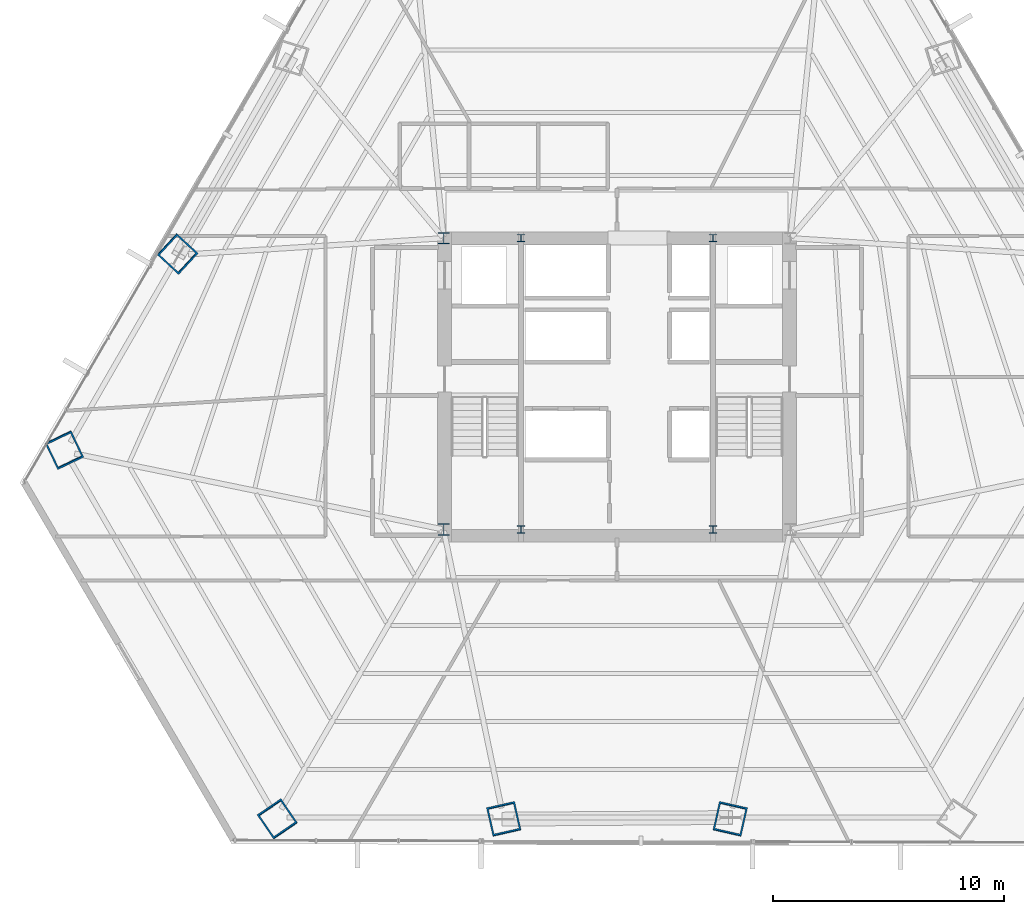
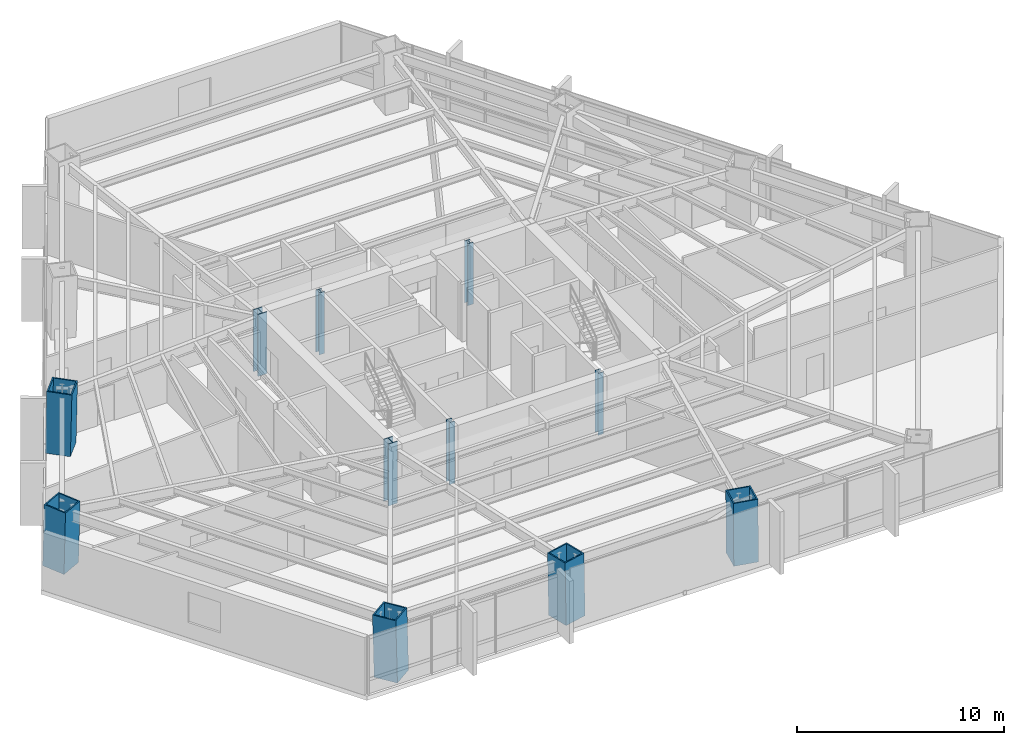
# One storey, part 1 of 29: 11 columns.
"""IFC4 building model written with IfcOpenShell, lengths in metres."""

from ifc_helpers import new_model, si_unit, direction, frame, origin, origin_2d, place, context, subcontext, project, spatial, hollow_rectangle, i_section, extrude, source, transform, mapped, material, material_profile, profile_set, type_object, type_shapes, element, save


model = new_model("IFC4")

# Units and contexts
model_context = context("Model", 3, precision=1e-05, world=origin(), true_north=direction((0.0, 1.0)))
body_context = subcontext(model_context, "Body", "Model", "MODEL_VIEW")
ifc_project = project(units=[si_unit("LENGTHUNIT", "METRE"), si_unit("AREAUNIT", "SQUARE_METRE"), si_unit("VOLUMEUNIT", "CUBIC_METRE"), si_unit("PLANEANGLEUNIT", "RADIAN"), si_unit("MASSUNIT", "GRAM", prefix="KILO")], contexts=[model_context])

# Site, building, storey
site_placement = place(None, origin())
site = spatial("IfcSite", under=ifc_project, at=site_placement, CompositionType="ELEMENT")
building_placement = place(site_placement, origin())
building = spatial("IfcBuilding", under=site, at=building_placement, Name="Caelisora Broadcast Tower", CompositionType="ELEMENT")
storey_placement = place(building_placement, frame((0.0, 0.0, 31.25)))
storey = spatial("IfcBuildingStorey", under=building, at=storey_placement, Name="L07", CompositionType="ELEMENT", Elevation=31.25)

# Columns
ifc_material_1 = material(Name="Steel Grade 350 (AS/NZS 3679.2)", Category="steel")
ifc_material_profile_1 = material_profile(ifc_material_1, i_section(OverallWidth=0.5, OverallDepth=0.5, WebThickness=0.028076171875, FlangeThickness=0.0400390625, at=origin_2d()), Name="Steel Grade 350 (AS/NZS 3679.2)")
ifc_profile_set_1 = profile_set([ifc_material_profile_1], Name="Steel Grade 350 (AS/NZS 3679.2)")
column_type_1 = type_object("IfcColumnType", Name="CC01", PredefinedType="COLUMN", material=ifc_profile_set_1)
shared_shape_1 = source(origin(), body_context, "Body", "SweptSolid", [
    extrude(i_section(OverallWidth=0.5, OverallDepth=0.5, WebThickness=0.028076171875, FlangeThickness=0.0400390625, at=origin_2d()), origin(), (0.0, 0.0, 1.0), 3.64990234375),
])
type_shapes(column_type_1, [shared_shape_1])
for number, where, z_axis, x_axis, name in (
    (1, (30.5, 17.39990234375, 0.0), (0.0, 0.0, 1.0), (1.0, 0.0, 0.0), "L07 column CC01"),
    (2, (30.5, 30.0, 0.0), (0.0, 0.0, 1.0), (1.0, 0.0, 0.0), "L07 column CC01"),
):
    element("IfcColumn", number, at=place(storey_placement, frame(where, z_axis=z_axis, x_axis=x_axis)), inside=storey, type_object=column_type_1, Name=name, PredefinedType="COLUMN", context=body_context, shape_type="MappedRepresentation", body=[
        mapped(shared_shape_1, transform((0.0, 0.0, 0.0), scale=1.0)),
    ])
ifc_material_2 = material(Name="Steel Grade 350 (AS/NZS 3679.1)", Category="steel")
ifc_material_profile_2 = material_profile(ifc_material_2, i_section(OverallWidth=0.306884765625, OverallDepth=0.314697265625, WebThickness=0.011962890625, FlangeThickness=0.018798828125, at=origin_2d()), Name="Steel Grade 350 (AS/NZS 3679.1)")
ifc_profile_set_2 = profile_set([ifc_material_profile_2], Name="Steel Grade 350 (AS/NZS 3679.1)")
column_type_2 = type_object("IfcColumnType", Name="CC04", PredefinedType="COLUMN", material=ifc_profile_set_2)
shared_shape_2 = source(origin(), body_context, "Body", "SweptSolid", [
    extrude(i_section(OverallWidth=0.306884765625, OverallDepth=0.314697265625, WebThickness=0.011962890625, FlangeThickness=0.018798828125, at=origin_2d()), origin(), (0.0, 0.0, 1.0), 3.64990234375),
])
type_shapes(column_type_2, [shared_shape_2])
for number, where, z_axis, x_axis, name in (
    (3, (33.85009765625, 17.39990234375, 0.0), (0.0, 0.0, 1.0), (1.0, 0.0, 0.0), "L07 column CC04"),
    (4, (42.14990234375, 17.39990234375, 0.0), (0.0, 0.0, 1.0), (1.0, 0.0, 0.0), "L07 column CC04"),
    (5, (33.85009765625, 30.0, 0.0), (0.0, 0.0, 1.0), (1.0, 0.0, 0.0), "L07 column CC04"),
    (6, (42.14990234375, 30.0, 0.0), (0.0, 0.0, 1.0), (1.0, 0.0, 0.0), "L07 column CC04"),
):
    element("IfcColumn", number, at=place(storey_placement, frame(where, z_axis=z_axis, x_axis=x_axis)), inside=storey, type_object=column_type_2, Name=name, PredefinedType="COLUMN", context=body_context, shape_type="MappedRepresentation", body=[
        mapped(shared_shape_2, transform((0.0, 0.0, 0.0), scale=1.0)),
    ])
ifc_material_3 = material(Name="Steel Grade 350 L15 (AS/NZS 3678)", Category="steel")
ifc_material_profile_3 = material_profile(ifc_material_3, hollow_rectangle(XDim=1.25, YDim=1.25, WallThickness=0.070068359375, at=origin_2d()), Name="Steel Grade 350 L15 (AS/NZS 3678)")
ifc_profile_set_3 = profile_set([ifc_material_profile_3], Name="Steel Grade 350 L15 (AS/NZS 3678)")
column_type_3 = type_object("IfcColumnType", Name="MC02", PredefinedType="COLUMN", material=ifc_profile_set_3)
shared_shape_3 = source(origin(), body_context, "Body", "SweptSolid", [
    extrude(hollow_rectangle(XDim=1.25, YDim=1.25, WallThickness=0.070068359375, at=origin_2d()), origin(), (0.0, 0.0, 1.0), 3.65087890625),
])
for number, where, z_axis, x_axis, name in (
    (7, (14.09423828125, 20.849365234375, 0.0), (0.010364917199, -0.021599150033, 0.999712981415), (0.901566609123, 0.432640323264, 0.0), "L07 column MC02"),
    (8, (23.318603515625, 4.872314453125, 0.0), (-0.013507825582, 0.019793645407, 0.999712833893), (-0.825991119814, -0.563683129062, 0.0), "L07 column MC02"),
):
    element("IfcColumn", number, at=place(storey_placement, frame(where, z_axis=z_axis, x_axis=x_axis)), inside=storey, type_object=column_type_3, Name=name, PredefinedType="COLUMN", context=body_context, shape_type="MappedRepresentation", body=[
        mapped(shared_shape_3, transform((0.0, 0.0, 0.0), scale=1.0)),
    ])
shared_shape_4 = source(origin(), body_context, "Body", "SweptSolid", [
    extrude(hollow_rectangle(XDim=1.25, YDim=1.25, WallThickness=0.070068359375, at=origin_2d()), origin(), (0.0, 0.0, 1.0), 3.650634765625),
])
type_shapes(column_type_3, [shared_shape_3, shared_shape_4])
for number, where, z_axis, x_axis, name in (
    (9, (18.988037109375, 29.32568359375, 0.0), (0.014913313399, -0.013776424037, 0.999793880369), (0.678553674548, 0.734550822447, 0.0), "L07 column MC02"),
    (10, (33.106201171875, 4.872314453125, 0.0), (-0.004480682206, 0.019795252729, 0.999794014513), (-0.975326687046, -0.220766513622, 0.0), "L07 column MC02"),
    (11, (42.893798828125, 4.872314453125, 0.0), (0.004480682206, 0.019795252729, 0.999794014513), (-0.975326687046, 0.220766513622, 0.0), "L07 column MC02"),
):
    element("IfcColumn", number, at=place(storey_placement, frame(where, z_axis=z_axis, x_axis=x_axis)), inside=storey, type_object=column_type_3, Name=name, PredefinedType="COLUMN", context=body_context, shape_type="MappedRepresentation", body=[
        mapped(shared_shape_4, transform((0.0, 0.0, 0.0), scale=1.0)),
    ])

save(model, "model.ifc")
